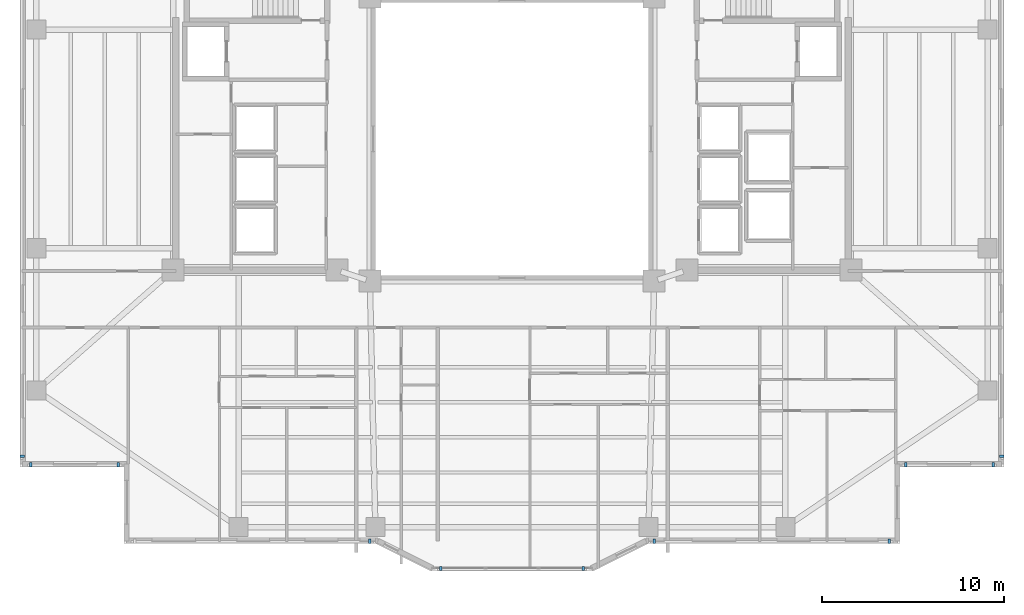
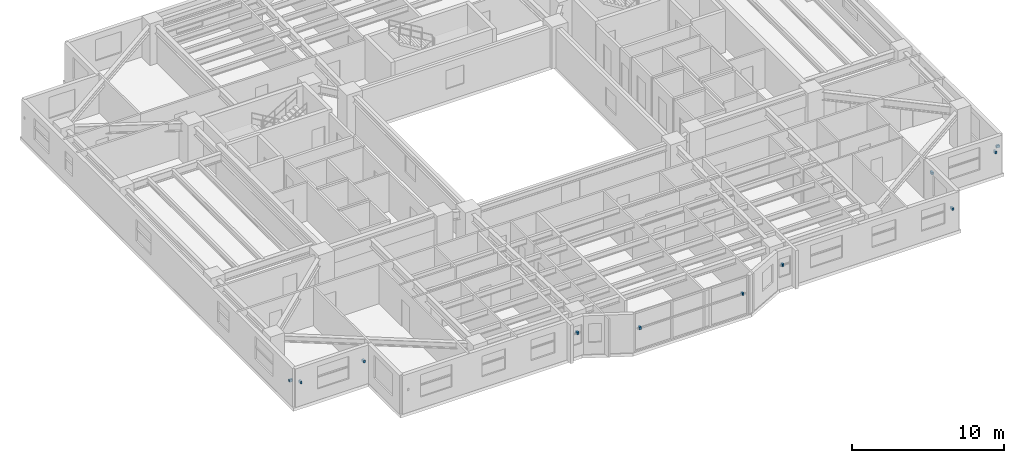
# One storey, part 12 of 18: 11 discrete accessories.
"""IFC4 building model written with IfcOpenShell, lengths in metres."""

from ifc_helpers import new_model, si_unit, direction, frame, origin, origin_2d, place, context, subcontext, project, spatial, rectangle, extrude, material, type_object, element, save


model = new_model("IFC4")

# Units and contexts
model_context = context("Model", 3, precision=1e-05, world=origin(), true_north=direction((0.0, 1.0)))
body_context = subcontext(model_context, "Body", "Model", "MODEL_VIEW")
ifc_project = project(units=[si_unit("LENGTHUNIT", "METRE"), si_unit("AREAUNIT", "SQUARE_METRE"), si_unit("VOLUMEUNIT", "CUBIC_METRE"), si_unit("PLANEANGLEUNIT", "RADIAN"), si_unit("MASSUNIT", "GRAM", prefix="KILO")], contexts=[model_context])

# Site, building, storey
site_placement = place(None, origin())
site = spatial("IfcSite", under=ifc_project, at=site_placement, CompositionType="ELEMENT")
building_placement = place(site_placement, origin())
building = spatial("IfcBuilding", under=site, at=building_placement, Name="Tarnavaz Court Tower", CompositionType="ELEMENT")
storey_placement = place(building_placement, frame((0.0, 0.0, 85.0)))
storey = spatial("IfcBuildingStorey", under=building, at=storey_placement, Name="L22", CompositionType="ELEMENT", Elevation=85.0)

# Discrete accessories
ifc_material = material(Name="Anodised Aluminium 6063-T6", Category="aluminium")
discrete_accessory_type = type_object("IfcDiscreteAccessoryType", Name="DA-BRKT-ALU", PredefinedType="BRACKET", material=ifc_material)
for number, where, z_axis, x_axis, name in (
    (1, (-21.60009765625, -17.8701171875, 1.75), (0.0, 0.0, 1.0), (-1.0, 0.0, 0.0), "L22 Baguette Outrigger Bracket FBG01-1"),
    (2, (-26.39990234375, -17.8701171875, 1.75), (0.0, 0.0, 1.0), (-1.0, 0.0, 0.0), "L22 Baguette Outrigger Bracket FBG01-2"),
    (3, (-26.8701171875, -17.39990234375, 1.75), (0.0, 0.0, 1.0), (0.0, 1.0, 0.0), "L22 Baguette Outrigger Bracket FBG02-1"),
    (4, (26.8701171875, -17.39990234375, 1.75), (0.0, 0.0, 1.0), (0.0, -1.0, 0.0), "L22 Baguette Outrigger Bracket FBG12-2"),
    (5, (26.39990234375, -17.8701171875, 1.75), (0.0, 0.0, 1.0), (-1.0, 0.0, 0.0), "L22 Baguette Outrigger Bracket FBG13-1"),
    (6, (21.60009765625, -17.8701171875, 1.75), (0.0, 0.0, 1.0), (-1.0, 0.0, 0.0), "L22 Baguette Outrigger Bracket FBG13-2"),
    (7, (20.699951171875, -22.070068359375, 1.75), (0.0, 0.0, 1.0), (-1.0, 0.0, 0.0), "L22 Baguette Outrigger Bracket FBG15-1"),
    (8, (7.800048828125, -22.070068359375, 1.75), (0.0, 0.0, 1.0), (-1.0, 0.0, 0.0), "L22 Baguette Outrigger Bracket FBG15-2"),
    (9, (3.89990234375, -23.570068359375, 1.7001953125), (0.0, 0.0, 1.0), (-1.0, 0.0, 0.0), "L22 Baguette Outrigger Bracket PBG17-1"),
    (10, (-3.89990234375, -23.570068359375, 1.7001953125), (0.0, 0.0, 1.0), (-1.0, 0.0, 0.0), "L22 Baguette Outrigger Bracket PBG17-2"),
    (11, (-7.800048828125, -22.070068359375, 1.75), (0.0, 0.0, 1.0), (-1.0, 0.0, 0.0), "L22 Baguette Outrigger Bracket FBG19-1"),
):
    element("IfcDiscreteAccessory", number, at=place(storey_placement, frame(where, z_axis=z_axis, x_axis=x_axis)), inside=storey, type_object=discrete_accessory_type, Name=name, PredefinedType="BRACKET", context=body_context, shape_type="SweptSolid", body=[
        extrude(rectangle(XDim=0.139892578125, YDim=0.239990234375, at=origin_2d()), origin(), (0.0, 0.0, 1.0), 0.199951171875),
    ])

save(model, "model.ifc")
